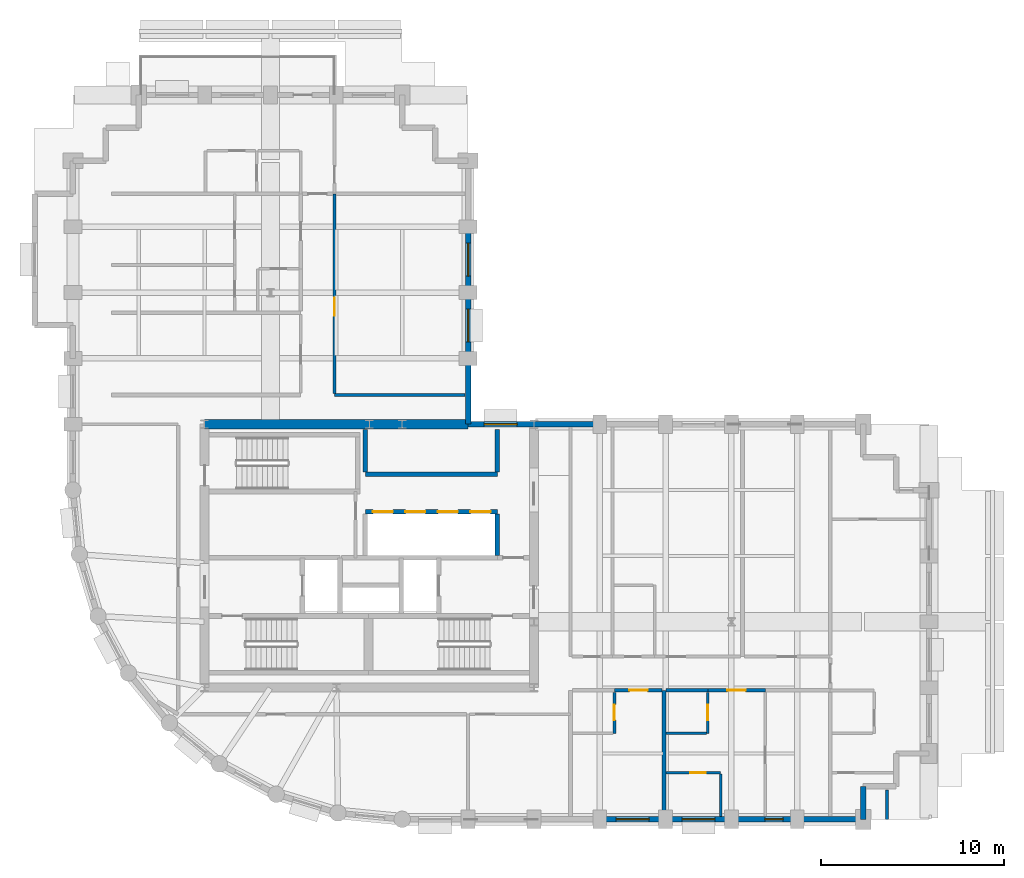
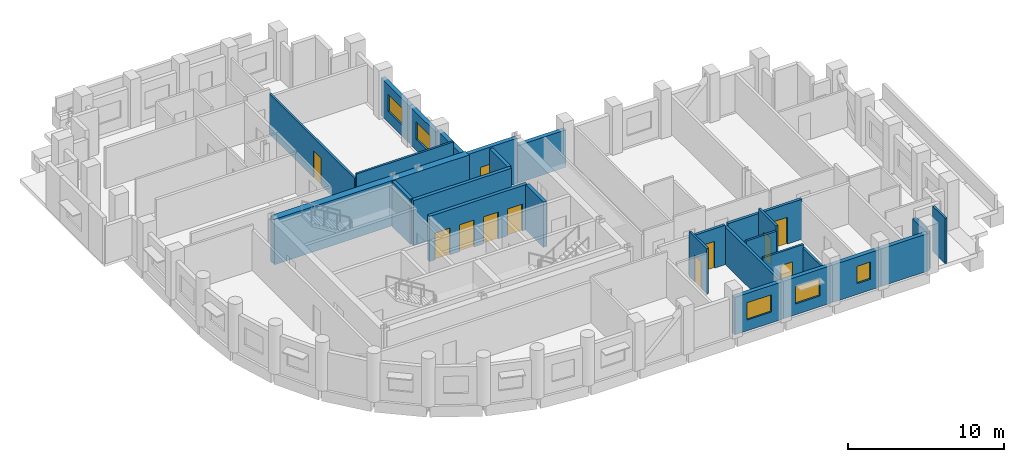
# One storey, part 5 of 10: 28 walls, 10 doors, 6 windows, 16 openings.
"""IFC4 building model written with IfcOpenShell, lengths in metres."""

from ifc_helpers import new_model, si_unit, direction, frame, frame_2d, origin, place, context, subcontext, project, spatial, rectangle, extrude, material, layer, layer_set, type_object, element, fill, save


model = new_model("IFC4")

# Units and contexts
model_context = context("Model", 3, precision=1e-05, world=origin(), true_north=direction((0.0, 1.0)))
body_context = subcontext(model_context, "Body", "Model", "MODEL_VIEW")
ifc_project = project(units=[si_unit("LENGTHUNIT", "METRE"), si_unit("AREAUNIT", "SQUARE_METRE"), si_unit("VOLUMEUNIT", "CUBIC_METRE"), si_unit("PLANEANGLEUNIT", "RADIAN"), si_unit("MASSUNIT", "GRAM", prefix="KILO")], contexts=[model_context])

# Site, building, storey
site_placement = place(None, origin())
site = spatial("IfcSite", under=ifc_project, at=site_placement, CompositionType="ELEMENT")
building_placement = place(site_placement, origin())
building = spatial("IfcBuilding", under=site, at=building_placement, Name="Solnavia Interchange Tower", CompositionType="ELEMENT")
storey_placement = place(building_placement, frame((0.0, 0.0, 127.60009765625)))
storey = spatial("IfcBuildingStorey", under=building, at=storey_placement, Name="L31", CompositionType="ELEMENT", Elevation=127.60009765625)

# Wall
ifc_material_1 = material(Name="Gypsum Acoustic Twin-Stud & Mineral Wool", Category="gypsum")
ifc_layer_1 = layer(ifc_material_1, 0.199951171875)
ifc_layer_set_1 = layer_set([ifc_layer_1], Name="Gypsum Acoustic Twin-Stud & Mineral Wool")
wall_type_1 = type_object("IfcWallType", Name="Wall-ApartmentParty-200", PredefinedType="PARTITIONING", material=ifc_layer_set_1)
wall_1_placement = place(storey_placement, frame((39.510009765625, 3.75390625, 0.0), z_axis=(0.0, 0.0, 1.0), x_axis=(0.0, 1.0, 0.0)))
element("IfcWall", 1, at=wall_1_placement, inside=storey, type_object=wall_type_1, Name="PTW-L31-14 Interior partition wall", PredefinedType="PARTITIONING", context=body_context, shape_type="SweptSolid", body=[
    extrude(rectangle(XDim=6.89599609375, YDim=0.199951171875, at=frame_2d((3.447998046875, 0.0))), origin(), (0.0, 0.0, 1.0), 2.929931640625),
])

# Wall, opening, door
wall_2_placement = place(storey_placement, frame((36.800048828125, 10.64990234375, 0.0), z_axis=(0.0, 0.0, 1.0), x_axis=(1.0, 0.0, 0.0)))
wall_2 = element("IfcWall", 2, at=wall_2_placement, inside=storey, type_object=wall_type_1, Name="PTW-L31-18 Interior partition wall", PredefinedType="PARTITIONING", context=body_context, shape_type="SweptSolid", body=[
    extrude(rectangle(XDim=2.60595703125, YDim=0.199951171875, at=frame_2d((1.302978515625, 0.0))), origin(), (0.0, 0.0, 1.0), 3.079833984375),
])
opening_1_placement = place(wall_2_placement, frame((0.81689453125, 0.0, 0.0)))
opening_1 = element("IfcOpeningElement", 3, at=opening_1_placement, cuts=wall_2, Name="Opening DR-06", PredefinedType="OPENING", context=body_context, shape_type="SweptSolid", body=[
    extrude(rectangle(XDim=1.0, YDim=2.10009765625, at=frame_2d((0.5, 1.050048828125))), frame((0.0, 0.10986328125, 0.0), z_axis=(0.0, -1.0, 0.0), x_axis=(1.0, 0.0, 0.0)), (0.0, 0.0, 1.0), 0.219970703125),
])
ifc_material_2 = material(Name="Engineered Timber Acoustic Fire Door", Category="wood")
door_type_1 = type_object("IfcDoorType", Name="Door-FlatEntry-1000x2100", OperationType="SINGLE_SWING_LEFT", PredefinedType="DOOR", material=ifc_material_2)
door_1_placement = place(opening_1_placement, origin())
door_1 = element("IfcDoor", 4, at=door_1_placement, inside=storey, type_object=door_type_1, Name="DR-L31-07 Interior room door", OperationType="SINGLE_SWING_LEFT", OverallHeight=2.10009765625, OverallWidth=1.0, PredefinedType="DOOR", context=body_context, shape_type="SweptSolid", body=[
    extrude(rectangle(XDim=1.0, YDim=2.10009765625, at=frame_2d((0.5, 1.050048828125))), frame((0.0, 0.02490234375, 0.0), z_axis=(0.0, -1.0, 0.0), x_axis=(1.0, 0.0, 0.0)), (0.0, 0.0, 1.0), 0.050048828125),
])
fill(opening_1, door_1)

# Wall
wall_3_placement = place(storey_placement, frame((39.614013671875, 10.64990234375, 0.0), z_axis=(0.0, 0.0, 1.0), x_axis=(1.0, 0.0, 0.0)))
element("IfcWall", 5, at=wall_3_placement, inside=storey, type_object=wall_type_1, Name="PTW-L31-19 Interior partition wall", PredefinedType="PARTITIONING", context=body_context, shape_type="SweptSolid", body=[
    extrude(rectangle(XDim=2.2958984375, YDim=0.199951171875, at=frame_2d((1.14794921875, 0.0))), origin(), (0.0, 0.0, 1.0), 3.1298828125),
])

# Wall, opening, door
wall_4_placement = place(storey_placement, frame((41.909912109375, 10.64990234375, 0.0), z_axis=(0.0, 0.0, 1.0), x_axis=(1.0, 0.0, 0.0)))
wall_4 = element("IfcWall", 6, at=wall_4_placement, inside=storey, type_object=wall_type_1, Name="PTW-L31-22 Interior partition wall", PredefinedType="PARTITIONING", context=body_context, shape_type="SweptSolid", body=[
    extrude(rectangle(XDim=3.14013671875, YDim=0.199951171875, at=frame_2d((1.570068359375, 0.0))), origin(), (0.0, 0.0, 1.0), 3.1298828125),
])
opening_2_placement = place(wall_4_placement, frame((1.070068359375, 0.0, 0.0)))
opening_2 = element("IfcOpeningElement", 7, at=opening_2_placement, cuts=wall_4, Name="Opening DR-06", PredefinedType="OPENING", context=body_context, shape_type="SweptSolid", body=[
    extrude(rectangle(XDim=1.0, YDim=2.10009765625, at=frame_2d((0.5, 1.050048828125))), frame((0.0, 0.10986328125, 0.0), z_axis=(0.0, -1.0, 0.0), x_axis=(1.0, 0.0, 0.0)), (0.0, 0.0, 1.0), 0.219970703125),
])
door_2_placement = place(opening_2_placement, origin())
door_2 = element("IfcDoor", 8, at=door_2_placement, inside=storey, type_object=door_type_1, Name="DR-L31-09 Interior room door", OperationType="SINGLE_SWING_LEFT", OverallHeight=2.10009765625, OverallWidth=1.0, PredefinedType="DOOR", context=body_context, shape_type="SweptSolid", body=[
    extrude(rectangle(XDim=1.0, YDim=2.10009765625, at=frame_2d((0.5, 1.050048828125))), frame((0.0, 0.02490234375, 0.0), z_axis=(0.0, -1.0, 0.0), x_axis=(1.0, 0.0, 0.0)), (0.0, 0.0, 1.0), 0.050048828125),
])
fill(opening_2, door_2)

# Wall, opening, window
ifc_material_3 = material(Name="Concrete C40/50", Category="concrete")
ifc_layer_2 = layer(ifc_material_3, 0.300048828125)
ifc_layer_set_2 = layer_set([ifc_layer_2], Name="Concrete C40/50")
wall_type_2 = type_object("IfcWallType", Name="Wall-ExtSpandrel-300", PredefinedType="STANDARD", material=ifc_layer_set_2)
wall_5_placement = place(storey_placement, frame((39.60009765625, 3.60009765625, 0.0), z_axis=(0.0, 0.0, 1.0), x_axis=(-1.0, 0.0, 0.0)))
wall_5 = element("IfcWall", 9, at=wall_5_placement, inside=storey, type_object=wall_type_2, Name="EXW-L31-04 Exterior precast spandrel wall", PredefinedType="STANDARD", context=body_context, shape_type="SweptSolid", body=[
    extrude(rectangle(XDim=3.60009765625, YDim=0.300048828125, at=frame_2d((1.800048828125, 0.0))), origin(), (0.0, 0.0, 1.0), 2.929931640625),
])
opening_3_placement = place(wall_5_placement, frame((0.89990234375, 0.0, 0.85009765625)))
opening_3 = element("IfcOpeningElement", 10, at=opening_3_placement, cuts=wall_5, Name="Opening WIN-02", PredefinedType="OPENING", context=body_context, shape_type="SweptSolid", body=[
    extrude(rectangle(XDim=1.800048828125, YDim=1.35009765625, at=frame_2d((0.89990234375, 0.675048828125))), frame((0.0, 0.16015625, 0.0), z_axis=(0.0, -1.0, 0.0), x_axis=(1.0, 0.0, 0.0)), (0.0, 0.0, 1.0), 0.320068359375),
])
ifc_material_4 = material(Name="Thermal-Break Aluminium & Low-E Glass", Category="aluminium")
window_type_1 = type_object("IfcWindowType", Name="Window-Ribbon-1800x1350", PartitioningType="SINGLE_PANEL", PredefinedType="WINDOW", material=ifc_material_4)
window_1_placement = place(opening_3_placement, origin())
window_1 = element("IfcWindow", 11, at=window_1_placement, inside=storey, type_object=window_type_1, Name="WIN-L31-04 Facade ribbon window", OverallHeight=1.35009765625, OverallWidth=1.800048828125, PartitioningType="SINGLE_PANEL", PredefinedType="WINDOW", context=body_context, shape_type="SweptSolid", body=[
    extrude(rectangle(XDim=1.800048828125, YDim=1.35009765625, at=frame_2d((0.89990234375, 0.675048828125))), frame((0.0, 0.030029296875, 0.0), z_axis=(0.0, -1.0, 0.0), x_axis=(1.0, 0.0, 0.0)), (0.0, 0.0, 1.0), 0.06005859375),
])
fill(opening_3, window_1)

wall_6_placement = place(storey_placement, frame((43.199951171875, 3.60009765625, 0.0), z_axis=(0.0, 0.0, 1.0), x_axis=(-1.0, 0.0, 0.0)))
wall_6 = element("IfcWall", 12, at=wall_6_placement, inside=storey, type_object=wall_type_2, Name="EXW-L31-05 Exterior precast spandrel wall", PredefinedType="STANDARD", context=body_context, shape_type="SweptSolid", body=[
    extrude(rectangle(XDim=3.599853515625, YDim=0.300048828125, at=frame_2d((1.7998046875, 0.0))), origin(), (0.0, 0.0, 1.0), 2.929931640625),
])
opening_4_placement = place(wall_6_placement, frame((0.89990234375, 0.0, 0.85009765625)))
opening_4 = element("IfcOpeningElement", 13, at=opening_4_placement, cuts=wall_6, Name="Opening WIN-02", PredefinedType="OPENING", context=body_context, shape_type="SweptSolid", body=[
    extrude(rectangle(XDim=1.800048828125, YDim=1.35009765625, at=frame_2d((0.89990234375, 0.675048828125))), frame((0.0, 0.16015625, 0.0), z_axis=(0.0, -1.0, 0.0), x_axis=(1.0, 0.0, 0.0)), (0.0, 0.0, 1.0), 0.320068359375),
])
window_2_placement = place(opening_4_placement, origin())
window_2 = element("IfcWindow", 14, at=window_2_placement, inside=storey, type_object=window_type_1, Name="WIN-L31-05 Facade ribbon window", OverallHeight=1.35009765625, OverallWidth=1.800048828125, PartitioningType="SINGLE_PANEL", PredefinedType="WINDOW", context=body_context, shape_type="SweptSolid", body=[
    extrude(rectangle(XDim=1.800048828125, YDim=1.35009765625, at=frame_2d((0.89990234375, 0.675048828125))), frame((0.0, 0.030029296875, 0.0), z_axis=(0.0, -1.0, 0.0), x_axis=(1.0, 0.0, 0.0)), (0.0, 0.0, 1.0), 0.06005859375),
])
fill(opening_4, window_2)

wall_7_placement = place(storey_placement, frame((46.800048828125, 3.60009765625, 0.0), z_axis=(0.0, 0.0, 1.0), x_axis=(-1.0, 0.0, 0.0)))
wall_7 = element("IfcWall", 15, at=wall_7_placement, inside=storey, type_object=wall_type_2, Name="EXW-L31-06 Exterior precast spandrel wall", PredefinedType="STANDARD", context=body_context, shape_type="SweptSolid", body=[
    extrude(rectangle(XDim=3.60009765625, YDim=0.300048828125, at=frame_2d((1.800048828125, 0.0))), origin(), (0.0, 0.0, 1.0), 2.929931640625),
])
opening_5_placement = place(wall_7_placement, frame((0.76904296875, 0.0, 0.85009765625)))
opening_5 = element("IfcOpeningElement", 16, at=opening_5_placement, cuts=wall_7, Name="Opening WIN-07", PredefinedType="OPENING", context=body_context, shape_type="SweptSolid", body=[
    extrude(rectangle(XDim=1.0, YDim=1.35009765625, at=frame_2d((0.5, 0.675048828125))), frame((0.0, 0.16015625, 0.0), z_axis=(0.0, -1.0, 0.0), x_axis=(1.0, 0.0, 0.0)), (0.0, 0.0, 1.0), 0.320068359375),
])
window_type_2 = type_object("IfcWindowType", Name="Window-Bedroom-1000x1350", PartitioningType="SINGLE_PANEL", PredefinedType="WINDOW", material=ifc_material_4)
window_3_placement = place(opening_5_placement, origin())
window_3 = element("IfcWindow", 17, at=window_3_placement, inside=storey, type_object=window_type_2, Name="WIN-L31-DW01 Dwelling bedroom window", OverallHeight=1.35009765625, OverallWidth=1.0, PartitioningType="SINGLE_PANEL", PredefinedType="WINDOW", context=body_context, shape_type="SweptSolid", body=[
    extrude(rectangle(XDim=1.0, YDim=1.35009765625, at=frame_2d((0.5, 0.675048828125))), frame((0.0, 0.030029296875, 0.0), z_axis=(0.0, -1.0, 0.0), x_axis=(1.0, 0.0, 0.0)), (0.0, 0.0, 1.0), 0.06005859375),
])
fill(opening_5, window_3)

# Walls
wall_8_placement = place(storey_placement, frame((50.39990234375, 3.60009765625, 0.0), z_axis=(0.0, 0.0, 1.0), x_axis=(-1.0, 0.0, 0.0)))
element("IfcWall", 18, at=wall_8_placement, inside=storey, type_object=wall_type_2, Name="EXW-L31-07 Exterior precast spandrel wall", PredefinedType="STANDARD", context=body_context, shape_type="SweptSolid", body=[
    extrude(rectangle(XDim=3.599853515625, YDim=0.300048828125, at=frame_2d((1.7998046875, 0.0))), origin(), (0.0, 0.0, 1.0), 2.929931640625),
])
wall_9_placement = place(storey_placement, frame((50.39990234375, 5.39990234375, 0.0), z_axis=(0.0, 0.0, 1.0), x_axis=(0.0, -1.0, 0.0)))
element("IfcWall", 19, at=wall_9_placement, inside=storey, type_object=wall_type_2, Name="EXW-L31-08 Exterior precast spandrel wall", PredefinedType="STANDARD", context=body_context, shape_type="SweptSolid", body=[
    extrude(rectangle(XDim=1.7998046875, YDim=0.300048828125, at=frame_2d((0.89990234375, 0.0))), origin(), (0.0, 0.0, 1.0), 2.929931640625),
])
wall_10_placement = place(storey_placement, frame((32.39990234375, 25.199951171875, 0.0), z_axis=(0.0, 0.0, 1.0), x_axis=(1.0, 0.0, 0.0)))
element("IfcWall", 20, at=wall_10_placement, inside=storey, type_object=wall_type_2, Name="EXW-L31-24 Exterior precast spandrel wall", PredefinedType="STANDARD", context=body_context, shape_type="SweptSolid", body=[
    extrude(rectangle(XDim=3.60009765625, YDim=0.300048828125, at=frame_2d((1.800048828125, 0.0))), origin(), (0.0, 0.0, 1.0), 2.929931640625),
])

# Wall, opening, window
wall_11_placement = place(storey_placement, frame((28.800048828125, 25.199951171875, 0.0), z_axis=(0.0, 0.0, 1.0), x_axis=(1.0, 0.0, 0.0)))
wall_11 = element("IfcWall", 21, at=wall_11_placement, inside=storey, type_object=wall_type_2, Name="EXW-L31-25 Exterior precast spandrel wall", PredefinedType="STANDARD", context=body_context, shape_type="SweptSolid", body=[
    extrude(rectangle(XDim=3.599853515625, YDim=0.300048828125, at=frame_2d((1.7998046875, 0.0))), origin(), (0.0, 0.0, 1.0), 3.534912109375),
])
opening_6_placement = place(wall_11_placement, frame((0.884033203125, 0.0, 0.85009765625)))
opening_6 = element("IfcOpeningElement", 22, at=opening_6_placement, cuts=wall_11, Name="Opening WIN-02", PredefinedType="OPENING", context=body_context, shape_type="SweptSolid", body=[
    extrude(rectangle(XDim=1.800048828125, YDim=1.35009765625, at=frame_2d((0.89990234375, 0.675048828125))), frame((0.0, 0.16015625, 0.0), z_axis=(0.0, -1.0, 0.0), x_axis=(1.0, 0.0, 0.0)), (0.0, 0.0, 1.0), 0.320068359375),
])
window_4_placement = place(opening_6_placement, origin())
window_4 = element("IfcWindow", 23, at=window_4_placement, inside=storey, type_object=window_type_1, Name="WIN-L31-25 Facade ribbon window", OverallHeight=1.35009765625, OverallWidth=1.800048828125, PartitioningType="SINGLE_PANEL", PredefinedType="WINDOW", context=body_context, shape_type="SweptSolid", body=[
    extrude(rectangle(XDim=1.800048828125, YDim=1.35009765625, at=frame_2d((0.89990234375, 0.675048828125))), frame((0.0, 0.030029296875, 0.0), z_axis=(0.0, -1.0, 0.0), x_axis=(1.0, 0.0, 0.0)), (0.0, 0.0, 1.0), 0.06005859375),
])
fill(opening_6, window_4)

# Wall
wall_12_placement = place(storey_placement, frame((28.800048828125, 28.800048828125, 0.0), z_axis=(0.0, 0.0, 1.0), x_axis=(0.0, -1.0, 0.0)))
element("IfcWall", 24, at=wall_12_placement, inside=storey, type_object=wall_type_2, Name="EXW-L31-26 Exterior precast spandrel wall", PredefinedType="STANDARD", context=body_context, shape_type="SweptSolid", body=[
    extrude(rectangle(XDim=3.60009765625, YDim=0.300048828125, at=frame_2d((1.800048828125, 0.0))), origin(), (0.0, 0.0, 1.0), 3.169921875),
])

# Wall, opening, window
wall_13_placement = place(storey_placement, frame((28.800048828125, 32.39990234375, 0.0), z_axis=(0.0, 0.0, 1.0), x_axis=(0.0, -1.0, 0.0)))
wall_13 = element("IfcWall", 25, at=wall_13_placement, inside=storey, type_object=wall_type_2, Name="EXW-L31-27 Exterior precast spandrel wall", PredefinedType="STANDARD", context=body_context, shape_type="SweptSolid", body=[
    extrude(rectangle(XDim=3.599853515625, YDim=0.300048828125, at=frame_2d((1.7998046875, 0.0))), origin(), (0.0, 0.0, 1.0), 2.929931640625),
])
opening_7_placement = place(wall_13_placement, frame((0.89990234375, 0.0, 0.85009765625)))
opening_7 = element("IfcOpeningElement", 26, at=opening_7_placement, cuts=wall_13, Name="Opening WIN-02", PredefinedType="OPENING", context=body_context, shape_type="SweptSolid", body=[
    extrude(rectangle(XDim=1.800048828125, YDim=1.35009765625, at=frame_2d((0.89990234375, 0.675048828125))), frame((0.0, 0.16015625, 0.0), z_axis=(0.0, -1.0, 0.0), x_axis=(1.0, 0.0, 0.0)), (0.0, 0.0, 1.0), 0.320068359375),
])
window_5_placement = place(opening_7_placement, origin())
window_5 = element("IfcWindow", 27, at=window_5_placement, inside=storey, type_object=window_type_1, Name="WIN-L31-27 Facade ribbon window", OverallHeight=1.35009765625, OverallWidth=1.800048828125, PartitioningType="SINGLE_PANEL", PredefinedType="WINDOW", context=body_context, shape_type="SweptSolid", body=[
    extrude(rectangle(XDim=1.800048828125, YDim=1.35009765625, at=frame_2d((0.89990234375, 0.675048828125))), frame((0.0, 0.030029296875, 0.0), z_axis=(0.0, -1.0, 0.0), x_axis=(1.0, 0.0, 0.0)), (0.0, 0.0, 1.0), 0.06005859375),
])
fill(opening_7, window_5)

wall_14_placement = place(storey_placement, frame((28.800048828125, 36.0, 0.0), z_axis=(0.0, 0.0, 1.0), x_axis=(0.0, -1.0, 0.0)))
wall_14 = element("IfcWall", 28, at=wall_14_placement, inside=storey, type_object=wall_type_2, Name="EXW-L31-28 Exterior precast spandrel wall", PredefinedType="STANDARD", context=body_context, shape_type="SweptSolid", body=[
    extrude(rectangle(XDim=3.60009765625, YDim=0.300048828125, at=frame_2d((1.800048828125, 0.0))), origin(), (0.0, 0.0, 1.0), 2.929931640625),
])
opening_8_placement = place(wall_14_placement, frame((0.89990234375, 0.0, 0.85009765625)))
opening_8 = element("IfcOpeningElement", 29, at=opening_8_placement, cuts=wall_14, Name="Opening WIN-02", PredefinedType="OPENING", context=body_context, shape_type="SweptSolid", body=[
    extrude(rectangle(XDim=1.800048828125, YDim=1.35009765625, at=frame_2d((0.89990234375, 0.675048828125))), frame((0.0, 0.16015625, 0.0), z_axis=(0.0, -1.0, 0.0), x_axis=(1.0, 0.0, 0.0)), (0.0, 0.0, 1.0), 0.320068359375),
])
window_6_placement = place(opening_8_placement, origin())
window_6 = element("IfcWindow", 30, at=window_6_placement, inside=storey, type_object=window_type_1, Name="WIN-L31-28 Facade ribbon window", OverallHeight=1.35009765625, OverallWidth=1.800048828125, PartitioningType="SINGLE_PANEL", PredefinedType="WINDOW", context=body_context, shape_type="SweptSolid", body=[
    extrude(rectangle(XDim=1.800048828125, YDim=1.35009765625, at=frame_2d((0.89990234375, 0.675048828125))), frame((0.0, 0.030029296875, 0.0), z_axis=(0.0, -1.0, 0.0), x_axis=(1.0, 0.0, 0.0)), (0.0, 0.0, 1.0), 0.06005859375),
])
fill(opening_8, window_6)

# Wall
ifc_material_5 = material(Name="Gypsum Plasterboard & Steel Stud", Category="steel")
ifc_layer_3 = layer(ifc_material_5, 0.14990234375)
ifc_layer_set_3 = layer_set([ifc_layer_3], Name="Gypsum Plasterboard & Steel Stud")
wall_type_3 = type_object("IfcWallType", Name="Wall-Partition-150", PredefinedType="PARTITIONING", material=ifc_layer_set_3)
wall_15_placement = place(storey_placement, frame((21.5, 26.800048828125, 0.0), z_axis=(0.0, 0.0, 1.0), x_axis=(1.0, 0.0, 0.0)))
element("IfcWall", 31, at=wall_15_placement, inside=storey, type_object=wall_type_3, Name="PTW-L31-49 Interior partition wall", PredefinedType="PARTITIONING", context=body_context, shape_type="SweptSolid", body=[
    extrude(rectangle(XDim=7.14599609375, YDim=0.14990234375, at=frame_2d((3.572998046875, 0.0))), origin(), (0.0, 0.0, 1.0), 3.534912109375),
])

# Wall, opening, door
wall_16_placement = place(storey_placement, frame((21.5, 26.87890625, 0.0), z_axis=(0.0, 0.0, 1.0), x_axis=(0.0, 1.0, 0.0)))
wall_16 = element("IfcWall", 32, at=wall_16_placement, inside=storey, type_object=wall_type_3, Name="PTW-L31-50 Interior partition wall", PredefinedType="PARTITIONING", context=body_context, shape_type="SweptSolid", body=[
    extrude(rectangle(XDim=10.921142578125, YDim=0.14990234375, at=frame_2d((5.46044921875, 0.0))), origin(), (0.0, 0.0, 1.0), 3.1298828125),
])
opening_9_placement = place(wall_16_placement, frame((4.2470703125, 0.0, 0.0)))
opening_9 = element("IfcOpeningElement", 33, at=opening_9_placement, cuts=wall_16, Name="Opening DR-07", PredefinedType="OPENING", context=body_context, shape_type="SweptSolid", body=[
    extrude(rectangle(XDim=1.0, YDim=2.10009765625, at=frame_2d((0.5, 1.050048828125))), frame((0.0, 0.0849609375, 0.0), z_axis=(0.0, -1.0, 0.0), x_axis=(1.0, 0.0, 0.0)), (0.0, 0.0, 1.0), 0.169921875),
])
ifc_material_6 = material(Name="Timber & Acoustic Glazed Office Door", Category="wood")
door_type_2 = type_object("IfcDoorType", Name="Door-Office-1000x2100", OperationType="SINGLE_SWING_RIGHT", PredefinedType="DOOR", material=ifc_material_6)
door_3_placement = place(opening_9_placement, origin())
door_3 = element("IfcDoor", 34, at=door_3_placement, inside=storey, type_object=door_type_2, Name="DR-L31-23 Interior room door", OperationType="SINGLE_SWING_LEFT", OverallHeight=2.10009765625, OverallWidth=1.0, PredefinedType="DOOR", context=body_context, shape_type="SweptSolid", body=[
    extrude(rectangle(XDim=1.0, YDim=2.10009765625, at=frame_2d((0.5, 1.050048828125))), frame((0.0, 0.02490234375, 0.0), z_axis=(0.0, -1.0, 0.0), x_axis=(1.0, 0.0, 0.0)), (0.0, 0.0, 1.0), 0.050048828125),
])
fill(opening_9, door_3)

# Wall, openings, doors
ifc_layer_4 = layer(ifc_material_3, 0.25)
ifc_layer_set_4 = layer_set([ifc_layer_4], Name="Concrete C40/50")
wall_type_4 = type_object("IfcWallType", Name="Wall-ShaftPart-250", PredefinedType="PARTITIONING", material=ifc_layer_set_4)
wall_17_placement = place(storey_placement, frame((23.179931640625, 20.419921875, 0.0), z_axis=(0.0, 0.0, 1.0), x_axis=(1.0, 0.0, 0.0)))
wall_17 = element("IfcWall", 35, at=wall_17_placement, inside=storey, type_object=wall_type_4, Name="SHW-L31-B2N Core shaft wall", PredefinedType="PARTITIONING", context=body_context, shape_type="SweptSolid", body=[
    extrude(rectangle(XDim=7.219970703125, YDim=0.25, at=frame_2d((3.60986328125, 0.0))), origin(), (0.0, 0.0, 1.0), 3.534912109375),
])
opening_10_placement = place(wall_17_placement, frame((0.409912109375, 0.0, 0.0)))
opening_10 = element("IfcOpeningElement", 36, at=opening_10_placement, cuts=wall_17, Name="Opening LD-01", PredefinedType="OPENING", context=body_context, shape_type="SweptSolid", body=[
    extrude(rectangle(XDim=1.10009765625, YDim=2.10009765625, at=frame_2d((0.550048828125, 1.050048828125))), frame((0.0, 0.135009765625, 0.0), z_axis=(0.0, -1.0, 0.0), x_axis=(1.0, 0.0, 0.0)), (0.0, 0.0, 1.0), 0.27001953125),
])
opening_11_placement = place(wall_17_placement, frame((2.18994140625, 0.0, 0.0)))
opening_11 = element("IfcOpeningElement", 37, at=opening_11_placement, cuts=wall_17, Name="Opening LD-01", PredefinedType="OPENING", context=body_context, shape_type="SweptSolid", body=[
    extrude(rectangle(XDim=1.10009765625, YDim=2.10009765625, at=frame_2d((0.550048828125, 1.050048828125))), frame((0.0, 0.135009765625, 0.0), z_axis=(0.0, -1.0, 0.0), x_axis=(1.0, 0.0, 0.0)), (0.0, 0.0, 1.0), 0.27001953125),
])
opening_12_placement = place(wall_17_placement, frame((3.969970703125, 0.0, 0.0)))
opening_12 = element("IfcOpeningElement", 38, at=opening_12_placement, cuts=wall_17, Name="Opening LD-01", PredefinedType="OPENING", context=body_context, shape_type="SweptSolid", body=[
    extrude(rectangle(XDim=1.10009765625, YDim=2.10009765625, at=frame_2d((0.550048828125, 1.050048828125))), frame((0.0, 0.135009765625, 0.0), z_axis=(0.0, -1.0, 0.0), x_axis=(1.0, 0.0, 0.0)), (0.0, 0.0, 1.0), 0.27001953125),
])
opening_13_placement = place(wall_17_placement, frame((5.75, 0.0, 0.0)))
opening_13 = element("IfcOpeningElement", 39, at=opening_13_placement, cuts=wall_17, Name="Opening LD-01", PredefinedType="OPENING", context=body_context, shape_type="SweptSolid", body=[
    extrude(rectangle(XDim=1.10009765625, YDim=2.10009765625, at=frame_2d((0.550048828125, 1.050048828125))), frame((0.0, 0.135009765625, 0.0), z_axis=(0.0, -1.0, 0.0), x_axis=(1.0, 0.0, 0.0)), (0.0, 0.0, 1.0), 0.27001953125),
])
ifc_material_7 = material(Name="Brushed Stainless Steel Sliding Door", Category="steel")
door_type_3 = type_object("IfcDoorType", Name="Door-LiftLanding-1100x2100", OperationType="SLIDING_TO_LEFT", PredefinedType="DOOR", material=ifc_material_7)
door_4_placement = place(opening_10_placement, origin())
door_4 = element("IfcDoor", 40, at=door_4_placement, inside=storey, type_object=door_type_3, Name="LD-L31-B2-1 Lift landing sliding door", OperationType="SLIDING_TO_LEFT", OverallHeight=2.10009765625, OverallWidth=1.10009765625, PredefinedType="DOOR", context=body_context, shape_type="SweptSolid", body=[
    extrude(rectangle(XDim=1.10009765625, YDim=2.10009765625, at=frame_2d((0.550048828125, 1.050048828125))), frame((0.0, 0.02490234375, 0.0), z_axis=(0.0, -1.0, 0.0), x_axis=(1.0, 0.0, 0.0)), (0.0, 0.0, 1.0), 0.050048828125),
])
fill(opening_10, door_4)
door_5_placement = place(opening_11_placement, origin())
door_5 = element("IfcDoor", 41, at=door_5_placement, inside=storey, type_object=door_type_3, Name="LD-L31-B2-2 Lift landing sliding door", OperationType="SLIDING_TO_LEFT", OverallHeight=2.10009765625, OverallWidth=1.10009765625, PredefinedType="DOOR", context=body_context, shape_type="SweptSolid", body=[
    extrude(rectangle(XDim=1.10009765625, YDim=2.10009765625, at=frame_2d((0.550048828125, 1.050048828125))), frame((0.0, 0.02490234375, 0.0), z_axis=(0.0, -1.0, 0.0), x_axis=(1.0, 0.0, 0.0)), (0.0, 0.0, 1.0), 0.050048828125),
])
fill(opening_11, door_5)
door_6_placement = place(opening_12_placement, origin())
door_6 = element("IfcDoor", 42, at=door_6_placement, inside=storey, type_object=door_type_3, Name="LD-L31-B2-3 Lift landing sliding door", OperationType="SLIDING_TO_LEFT", OverallHeight=2.10009765625, OverallWidth=1.10009765625, PredefinedType="DOOR", context=body_context, shape_type="SweptSolid", body=[
    extrude(rectangle(XDim=1.10009765625, YDim=2.10009765625, at=frame_2d((0.550048828125, 1.050048828125))), frame((0.0, 0.02490234375, 0.0), z_axis=(0.0, -1.0, 0.0), x_axis=(1.0, 0.0, 0.0)), (0.0, 0.0, 1.0), 0.050048828125),
])
fill(opening_12, door_6)
door_7_placement = place(opening_13_placement, origin())
door_7 = element("IfcDoor", 43, at=door_7_placement, inside=storey, type_object=door_type_3, Name="LD-L31-B2-4 Lift landing sliding door", OperationType="SLIDING_TO_LEFT", OverallHeight=2.10009765625, OverallWidth=1.10009765625, PredefinedType="DOOR", context=body_context, shape_type="SweptSolid", body=[
    extrude(rectangle(XDim=1.10009765625, YDim=2.10009765625, at=frame_2d((0.550048828125, 1.050048828125))), frame((0.0, 0.02490234375, 0.0), z_axis=(0.0, -1.0, 0.0), x_axis=(1.0, 0.0, 0.0)), (0.0, 0.0, 1.0), 0.050048828125),
])
fill(opening_13, door_7)

# Walls
wall_18_placement = place(storey_placement, frame((30.39990234375, 18.02490234375, 0.0), z_axis=(0.0, 0.0, 1.0), x_axis=(0.0, 1.0, 0.0)))
element("IfcWall", 44, at=wall_18_placement, inside=storey, type_object=wall_type_4, Name="SHW-L31-B2E Core shaft wall", PredefinedType="PARTITIONING", context=body_context, shape_type="SweptSolid", body=[
    extrude(rectangle(XDim=2.27001953125, YDim=0.25, at=frame_2d((1.135009765625, 0.0))), origin(), (0.0, 0.0, 1.0), 3.534912109375),
])
wall_19_placement = place(storey_placement, frame((23.179931640625, 22.4599609375, 0.0), z_axis=(0.0, 0.0, 1.0), x_axis=(1.0, 0.0, 0.0)))
element("IfcWall", 45, at=wall_19_placement, inside=storey, type_object=wall_type_4, Name="SHW-L31-B3S Core shaft wall", PredefinedType="PARTITIONING", context=body_context, shape_type="SweptSolid", body=[
    extrude(rectangle(XDim=7.219970703125, YDim=0.25, at=frame_2d((3.60986328125, 0.0))), origin(), (0.0, 0.0, 1.0), 3.534912109375),
])
for number, where, z_axis, x_axis, name in (
    (46, (23.179931640625, 22.5849609375, 0.0), (0.0, 0.0, 1.0), (0.0, 1.0, 0.0), "SHW-L31-B3W Core shaft wall"),
    (47, (30.39990234375, 22.5849609375, 0.0), (0.0, 0.0, 1.0), (0.0, 1.0, 0.0), "SHW-L31-B3E Core shaft wall"),
):
    element("IfcWall", number, at=place(storey_placement, frame(where, z_axis=z_axis, x_axis=x_axis)), inside=storey, type_object=wall_type_4, Name=name, PredefinedType="PARTITIONING", context=body_context, shape_type="SweptSolid", body=[
        extrude(rectangle(XDim=2.31494140625, YDim=0.25, at=frame_2d((1.157470703125, 0.0))), origin(), (0.0, 0.0, 1.0), 3.534912109375),
    ])
ifc_material_8 = material(Name="Concrete C60/75", Category="concrete")
ifc_layer_5 = layer(ifc_material_8, 0.5)
ifc_layer_set_5 = layer_set([ifc_layer_5], Name="Concrete C60/75")
wall_type_5 = type_object("IfcWallType", Name="Wall-ShearCore-500", PredefinedType="SHEAR", material=ifc_layer_set_5)
wall_20_placement = place(storey_placement, frame((14.39990234375, 25.199951171875, 0.0), z_axis=(0.0, 0.0, 1.0), x_axis=(1.0, 0.0, 0.0)))
element("IfcWall", 48, at=wall_20_placement, inside=storey, type_object=wall_type_5, Name="CRW-L31-N Core shear wall", PredefinedType="SHEAR", context=body_context, shape_type="SweptSolid", body=[
    extrude(rectangle(XDim=14.400146484375, YDim=0.5, at=frame_2d((7.2001953125, 0.0))), origin(), (0.0, 0.0, 1.0), 3.5498046875),
])

# Wall, opening, door
ifc_material_9 = material(Name="Moisture-Resistant Gypsum & Steel Stud", Category="steel")
ifc_layer_6 = layer(ifc_material_9, 0.14990234375)
ifc_layer_set_6 = layer_set([ifc_layer_6], Name="Moisture-Resistant Gypsum & Steel Stud")
wall_type_6 = type_object("IfcWallType", Name="Wall-WetRoom-150", PredefinedType="PARTITIONING", material=ifc_layer_set_6)
wall_21_placement = place(storey_placement, frame((36.800048828125, 8.300048828125, 0.0), z_axis=(0.0, 0.0, 1.0), x_axis=(0.0, 1.0, 0.0)))
wall_21 = element("IfcWall", 49, at=wall_21_placement, inside=storey, type_object=wall_type_6, Name="PTW-L31-16 Interior partition wall", PredefinedType="PARTITIONING", context=body_context, shape_type="SweptSolid", body=[
    extrude(rectangle(XDim=2.245849609375, YDim=0.14990234375, at=frame_2d((1.123046875, 0.0))), origin(), (0.0, 0.0, 1.0), 3.534912109375),
])
opening_14_placement = place(wall_21_placement, frame((0.719970703125, 0.0, 0.0)))
opening_14 = element("IfcOpeningElement", 50, at=opening_14_placement, cuts=wall_21, Name="Opening DR-10", PredefinedType="OPENING", context=body_context, shape_type="SweptSolid", body=[
    extrude(rectangle(XDim=0.85009765625, YDim=2.10009765625, at=frame_2d((0.425048828125, 1.050048828125))), frame((0.0, 0.0849609375, 0.0), z_axis=(0.0, -1.0, 0.0), x_axis=(1.0, 0.0, 0.0)), (0.0, 0.0, 1.0), 0.169921875),
])
ifc_material_10 = material(Name="Moisture-Resistant Timber Door", Category="wood")
door_type_4 = type_object("IfcDoorType", Name="Door-Bathroom-850x2100", OperationType="SINGLE_SWING_RIGHT", PredefinedType="DOOR", material=ifc_material_10)
door_8_placement = place(opening_14_placement, origin())
door_8 = element("IfcDoor", 51, at=door_8_placement, inside=storey, type_object=door_type_4, Name="DR-L31-06 Interior room door", OperationType="SINGLE_SWING_RIGHT", OverallHeight=2.10009765625, OverallWidth=0.85009765625, PredefinedType="DOOR", context=body_context, shape_type="SweptSolid", body=[
    extrude(rectangle(XDim=0.85009765625, YDim=2.10009765625, at=frame_2d((0.425048828125, 1.050048828125))), frame((0.0, 0.02490234375, 0.0), z_axis=(0.0, -1.0, 0.0), x_axis=(1.0, 0.0, 0.0)), (0.0, 0.0, 1.0), 0.050048828125),
])
fill(opening_14, door_8)

wall_22_placement = place(storey_placement, frame((41.909912109375, 8.300048828125, 0.0), z_axis=(0.0, 0.0, 1.0), x_axis=(0.0, 1.0, 0.0)))
wall_22 = element("IfcWall", 52, at=wall_22_placement, inside=storey, type_object=wall_type_6, Name="PTW-L31-20 Interior partition wall", PredefinedType="PARTITIONING", context=body_context, shape_type="SweptSolid", body=[
    extrude(rectangle(XDim=2.245849609375, YDim=0.14990234375, at=frame_2d((1.123046875, 0.0))), origin(), (0.0, 0.0, 1.0), 3.534912109375),
])
opening_15_placement = place(wall_22_placement, frame((0.719970703125, 0.0, 0.0)))
opening_15 = element("IfcOpeningElement", 53, at=opening_15_placement, cuts=wall_22, Name="Opening DR-10", PredefinedType="OPENING", context=body_context, shape_type="SweptSolid", body=[
    extrude(rectangle(XDim=0.85009765625, YDim=2.10009765625, at=frame_2d((0.425048828125, 1.050048828125))), frame((0.0, 0.0849609375, 0.0), z_axis=(0.0, -1.0, 0.0), x_axis=(1.0, 0.0, 0.0)), (0.0, 0.0, 1.0), 0.169921875),
])
door_9_placement = place(opening_15_placement, origin())
door_9 = element("IfcDoor", 54, at=door_9_placement, inside=storey, type_object=door_type_4, Name="DR-L31-08 Interior room door", OperationType="SINGLE_SWING_RIGHT", OverallHeight=2.10009765625, OverallWidth=0.85009765625, PredefinedType="DOOR", context=body_context, shape_type="SweptSolid", body=[
    extrude(rectangle(XDim=0.85009765625, YDim=2.10009765625, at=frame_2d((0.425048828125, 1.050048828125))), frame((0.0, 0.02490234375, 0.0), z_axis=(0.0, -1.0, 0.0), x_axis=(1.0, 0.0, 0.0)), (0.0, 0.0, 1.0), 0.050048828125),
])
fill(opening_15, door_9)

# Wall
wall_23_placement = place(storey_placement, frame((39.614013671875, 8.300048828125, 0.0), z_axis=(0.0, 0.0, 1.0), x_axis=(1.0, 0.0, 0.0)))
element("IfcWall", 55, at=wall_23_placement, inside=storey, type_object=wall_type_6, Name="PTW-L31-21 Interior partition wall", PredefinedType="PARTITIONING", context=body_context, shape_type="SweptSolid", body=[
    extrude(rectangle(XDim=2.217041015625, YDim=0.14990234375, at=frame_2d((1.1083984375, 0.0))), origin(), (0.0, 0.0, 1.0), 3.169921875),
])

# Wall, opening, door
wall_24_placement = place(storey_placement, frame((39.614013671875, 6.14990234375, 0.0), z_axis=(0.0, 0.0, 1.0), x_axis=(1.0, 0.0, 0.0)))
wall_24 = element("IfcWall", 56, at=wall_24_placement, inside=storey, type_object=wall_type_6, Name="PTW-L31-25 Interior partition wall", PredefinedType="PARTITIONING", context=body_context, shape_type="SweptSolid", body=[
    extrude(rectangle(XDim=2.99609375, YDim=0.14990234375, at=frame_2d((1.498046875, 0.0))), origin(), (0.0, 0.0, 1.0), 3.169921875),
])
opening_16_placement = place(wall_24_placement, frame((1.326904296875, 0.0, 0.0)))
opening_16 = element("IfcOpeningElement", 57, at=opening_16_placement, cuts=wall_24, Name="Opening DR-10", PredefinedType="OPENING", context=body_context, shape_type="SweptSolid", body=[
    extrude(rectangle(XDim=0.85009765625, YDim=2.10009765625, at=frame_2d((0.425048828125, 1.050048828125))), frame((0.0, 0.0849609375, 0.0), z_axis=(0.0, -1.0, 0.0), x_axis=(1.0, 0.0, 0.0)), (0.0, 0.0, 1.0), 0.169921875),
])
door_10_placement = place(opening_16_placement, origin())
door_10 = element("IfcDoor", 58, at=door_10_placement, inside=storey, type_object=door_type_4, Name="DR-L31-11 Interior room door", OperationType="SINGLE_SWING_LEFT", OverallHeight=2.10009765625, OverallWidth=0.85009765625, PredefinedType="DOOR", context=body_context, shape_type="SweptSolid", body=[
    extrude(rectangle(XDim=0.85009765625, YDim=2.10009765625, at=frame_2d((0.425048828125, 1.050048828125))), frame((0.0, 0.02490234375, 0.0), z_axis=(0.0, -1.0, 0.0), x_axis=(1.0, 0.0, 0.0)), (0.0, 0.0, 1.0), 0.050048828125),
])
fill(opening_16, door_10)

# Walls
wall_25_placement = place(storey_placement, frame((42.610107421875, 3.75390625, 0.0), z_axis=(0.0, 0.0, 1.0), x_axis=(0.0, 1.0, 0.0)))
element("IfcWall", 59, at=wall_25_placement, inside=storey, type_object=wall_type_6, Name="PTW-L31-26 Interior partition wall", PredefinedType="PARTITIONING", context=body_context, shape_type="SweptSolid", body=[
    extrude(rectangle(XDim=2.317138671875, YDim=0.14990234375, at=frame_2d((1.15869140625, 0.0))), origin(), (0.0, 0.0, 1.0), 2.929931640625),
])
wall_26_placement = place(storey_placement, frame((51.699951171875, 3.60009765625, 0.0), z_axis=(0.0, 0.0, 1.0), x_axis=(0.0, 1.0, 0.0)))
element("IfcWall", 60, at=wall_26_placement, inside=storey, type_object=wall_type_6, Name="PTW-L31-38 Interior partition wall", PredefinedType="PARTITIONING", context=body_context, shape_type="SweptSolid", body=[
    extrude(rectangle(XDim=1.594970703125, YDim=0.14990234375, at=frame_2d((0.79736328125, 0.0))), origin(), (0.0, 0.0, 1.0), 3.534912109375),
])

save(model, "model.ifc")
